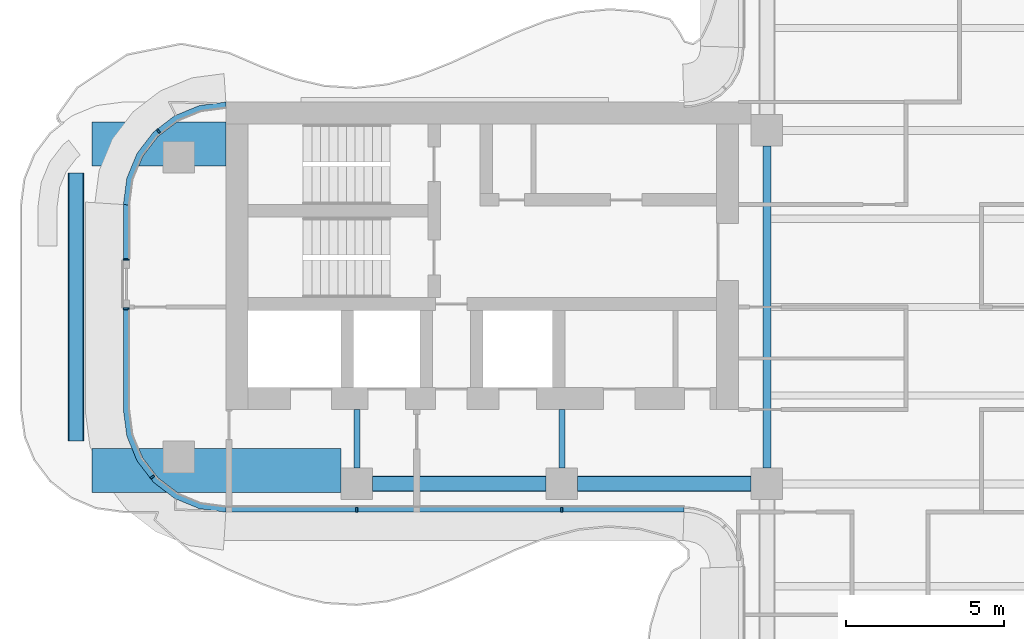
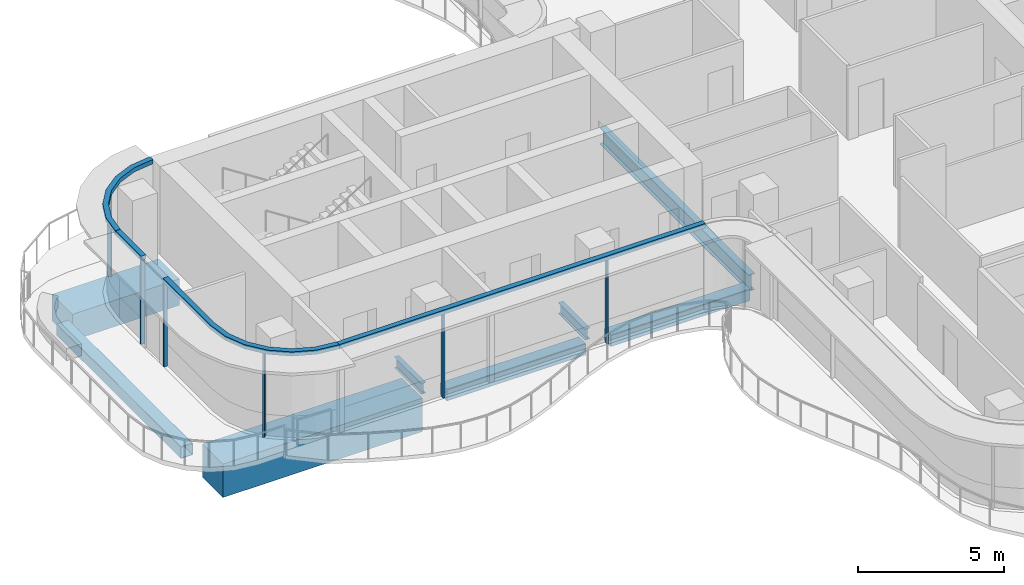
# One storey, part 3 of 17: 10 members, 8 beams, 4 elements without a shape of their own.
"""IFC4 building model written with IfcOpenShell, lengths in metres."""

from ifc_helpers import new_model, si_unit, direction, frame, origin, origin_2d, place, context, subcontext, project, spatial, polyline, rectangle, hollow_rectangle, i_section, outline, extrude, source, transform, mapped, material, layer, layer_set, material_profile, profile_set, type_object, element, aggregate, save


model = new_model("IFC4")

# Units and contexts
model_context = context("Model", 3, precision=1e-05, world=origin(), true_north=direction((0.0, 1.0)))
body_context = subcontext(model_context, "Body", "Model", "MODEL_VIEW")
ifc_project = project(units=[si_unit("LENGTHUNIT", "METRE"), si_unit("AREAUNIT", "SQUARE_METRE"), si_unit("VOLUMEUNIT", "CUBIC_METRE"), si_unit("PLANEANGLEUNIT", "RADIAN"), si_unit("MASSUNIT", "GRAM", prefix="KILO")], contexts=[model_context])

# Site, building, storey
site_placement = place(None, origin())
site = spatial("IfcSite", under=ifc_project, at=site_placement, CompositionType="ELEMENT")
building_placement = place(site_placement, origin())
building = spatial("IfcBuilding", under=site, at=building_placement, Name="Trellis Farm Tower", CompositionType="ELEMENT")
storey_placement = place(building_placement, frame((0.0, 0.0, 279.39990234375)))
storey = spatial("IfcBuildingStorey", under=building, at=storey_placement, Name="L62", CompositionType="ELEMENT", Elevation=279.39990234375)

# Curtain wall, member
ifc_material_1 = material(Name="Aluminium and glass curtain wall", Category="aluminium")
ifc_layer_1 = layer(ifc_material_1, 0.18994140625)
ifc_layer_set_1 = layer_set([ifc_layer_1], Name="RIBBON CURTAIN WALL CW1")
curtain_wall_type = type_object("IfcCurtainWallType", Name="RIBBON CURTAIN WALL CW1", PredefinedType="NOTDEFINED", material=ifc_layer_set_1)
placement_1 = place(storey_placement, origin())
curtain_wall_1 = element("IfcCurtainWall", 1, at=placement_1, inside=storey, type_object=curtain_wall_type, Name="CW1 013", PredefinedType="NOTDEFINED")
ifc_material_2 = material(Name="Aluminium extrusion 6063-T6", Category="aluminium")
ifc_layer_2 = layer(ifc_material_2, 0.199951171875)
ifc_layer_set_2 = layer_set([ifc_layer_2], Name="Aluminium extrusion 6063-T6")
member_type_1 = type_object("IfcMemberType", Name="CW1 TRANSOM 200x180", PredefinedType="USERDEFINED", material=ifc_layer_set_2)
placement_2 = place(storey_placement, frame((0.0, 0.0, 3.52001953125)))
member_1 = element("IfcMember", 2, at=placement_2, type_object=member_type_1, Name="TR1 013", ObjectType="TRANSOM", PredefinedType="USERDEFINED", context=body_context, shape_type="SweptSolid", body=[
    extrude(outline(polyline([(-26.0, 3.25), (-26.0, 1.47998046875), (-25.800048828125, 1.47998046875), (-25.800048828125, 3.23681640625), (-26.0, 3.25)])), origin(), (0.0, 0.0, 1.0), 0.18017578125),
])

curtain_wall_2 = element("IfcCurtainWall", 3, at=placement_1, inside=storey, type_object=curtain_wall_type, Name="CW1 014", PredefinedType="NOTDEFINED")
member_2 = element("IfcMember", 4, at=placement_2, type_object=member_type_1, Name="TR1 014", ObjectType="TRANSOM", PredefinedType="USERDEFINED", context=body_context, shape_type="SweptSolid", body=[
    extrude(outline(polyline([(-26.0, -0.02001953125), (-26.0, -3.25), (-25.88916015625, -4.091064453125), (-25.564697265625, -4.875), (-25.048095703125, -5.548095703125), (-24.375, -6.064697265625), (-23.591064453125, -6.38916015625), (-22.75, -6.5), (-22.73681640625, -6.300048828125), (-23.5390625, -6.1943359375), (-24.274169921875, -5.889892578125), (-24.905517578125, -5.405517578125), (-25.389892578125, -4.774169921875), (-25.6943359375, -4.0390625), (-25.800048828125, -3.23681640625), (-25.800048828125, -0.02001953125), (-26.0, -0.02001953125)])), origin(), (0.0, 0.0, 1.0), 0.18017578125),
])

# Beams
ifc_material_3 = material(Name="Concrete C80/95", Category="concrete")
ifc_material_profile_1 = material_profile(ifc_material_3, rectangle(XDim=1.39990234375, YDim=1.10009765625, at=origin_2d()), Name="RC transfer beam 1400x1100 C80/95")
ifc_profile_set_1 = profile_set([ifc_material_profile_1], Name="Concrete C80/95")
beam_type_1 = type_object("IfcBeamType", Name="RC transfer beam 1400x1100 C80/95", PredefinedType="BEAM", material=ifc_profile_set_1)
beam_1_placement = place(storey_placement, frame((-27.0, 5.175048828125, -0.75), z_axis=(1.0, 0.0, 0.0), x_axis=(0.0, 1.0, 0.0)))
element("IfcBeam", 5, at=beam_1_placement, inside=storey, type_object=beam_type_1, Name="Transfer girder", PredefinedType="BEAM", context=body_context, shape_type="SweptSolid", body=[
    extrude(rectangle(XDim=1.39990234375, YDim=1.10009765625, at=origin_2d()), origin(), (0.0, 0.0, 1.0), 4.25),
])
ifc_material_4 = material(Name="Steel S355", Category="steel")
ifc_material_profile_2 = material_profile(ifc_material_4, hollow_rectangle(XDim=0.5, YDim=0.5, WallThickness=0.02490234375, InnerFilletRadius=0.02490234375, OuterFilletRadius=0.03759765625, at=origin_2d()), Name="SHS 500x500x25")
ifc_profile_set_2 = profile_set([ifc_material_profile_2], Name="Steel S355")
beam_type_2 = type_object("IfcBeamType", Name="SHS 500x500x25", PredefinedType="BEAM", material=ifc_profile_set_2)
shared_shape_1 = source(origin(), body_context, "Body", "SweptSolid", [
    extrude(hollow_rectangle(XDim=0.5, YDim=0.5, WallThickness=0.02490234375, InnerFilletRadius=0.02490234375, OuterFilletRadius=0.03759765625, at=origin_2d()), origin(), (0.0, 0.0, 1.0), 5.5),
])
for number, where, z_axis, x_axis, name in (
    (6, (-18.10009765625, -5.60009765625, -0.449951171875), (1.0, 0.0, 0.0), (0.0, 1.0, 0.0), "Girder"),
    (7, (-11.60009765625, -5.60009765625, -0.449951171875), (1.0, 0.0, 0.0), (0.0, 1.0, 0.0), "Girder"),
):
    element("IfcBeam", number, at=place(storey_placement, frame(where, z_axis=z_axis, x_axis=x_axis)), inside=storey, type_object=beam_type_2, Name=name, PredefinedType="BEAM", context=body_context, shape_type="MappedRepresentation", body=[
        mapped(shared_shape_1, transform((0.0, 0.0, 0.0))),
    ])
ifc_material_profile_3 = material_profile(ifc_material_4, i_section(OverallWidth=0.253662109375, OverallDepth=0.68359375, WebThickness=0.012451171875, FlangeThickness=0.021728515625, FilletRadius=0.01513671875, at=origin_2d()), Name="UB 686x254x140")
ifc_profile_set_3 = profile_set([ifc_material_profile_3], Name="Steel S355")
beam_type_3 = type_object("IfcBeamType", Name="UB 686x254x140", PredefinedType="BEAM", material=ifc_profile_set_3)
shared_shape_2 = source(origin(), body_context, "Body", "SweptSolid", [
    extrude(i_section(OverallWidth=0.253662109375, OverallDepth=0.68359375, WebThickness=0.012451171875, FlangeThickness=0.021728515625, FilletRadius=0.01513671875, at=origin_2d()), origin(), (0.0, 0.0, 1.0), 10.2001953125),
])
beam_2_placement = place(storey_placement, frame((-5.60009765625, -5.10009765625, -0.541748046875), z_axis=(0.0, 1.0, 0.0), x_axis=(-1.0, 0.0, 0.0)))
element("IfcBeam", 8, at=beam_2_placement, inside=storey, type_object=beam_type_3, Name="Girder", PredefinedType="BEAM", context=body_context, shape_type="MappedRepresentation", body=[
    mapped(shared_shape_2, transform((0.0, 0.0, 0.0))),
])
shared_shape_3 = source(origin(), body_context, "Body", "SweptSolid", [
    extrude(hollow_rectangle(XDim=0.5, YDim=0.5, WallThickness=0.02490234375, InnerFilletRadius=0.02490234375, OuterFilletRadius=0.03759765625, at=origin_2d()), origin(), (0.0, 0.0, 1.0), 8.5),
])
beam_3_placement = place(storey_placement, frame((-27.5, -4.25, -0.449951171875), z_axis=(0.0, 1.0, 0.0), x_axis=(-1.0, 0.0, 0.0)))
element("IfcBeam", 9, at=beam_3_placement, inside=storey, type_object=beam_type_2, Name="Girder", PredefinedType="BEAM", context=body_context, shape_type="MappedRepresentation", body=[
    mapped(shared_shape_3, transform((0.0, 0.0, 0.0))),
])
ifc_material_profile_4 = material_profile(ifc_material_4, i_section(OverallWidth=0.1904296875, OverallDepth=0.45703125, WebThickness=0.009033203125, FlangeThickness=0.014404296875, FilletRadius=0.01025390625, at=origin_2d()), Name="UB 457x191x74")
ifc_profile_set_4 = profile_set([ifc_material_profile_4], Name="Steel S355")
beam_type_4 = type_object("IfcBeamType", Name="UB 457x191x74", PredefinedType="BEAM", material=ifc_profile_set_4)
shared_shape_4 = source(origin(), body_context, "Body", "SweptSolid", [
    extrude(i_section(OverallWidth=0.1904296875, OverallDepth=0.45703125, WebThickness=0.009033203125, FlangeThickness=0.014404296875, FilletRadius=0.01025390625, at=origin_2d()), origin(), (0.0, 0.0, 1.0), 1.85009765625),
])
for number, where, z_axis, x_axis, name in (
    (10, (-18.60009765625, -5.10009765625, -0.428466796875), (0.0, 1.0, 0.0), (-1.0, 0.0, 0.0), "Girder"),
    (11, (-12.10009765625, -5.10009765625, -0.428466796875), (0.0, 1.0, 0.0), (-1.0, 0.0, 0.0), "Girder"),
):
    element("IfcBeam", number, at=place(storey_placement, frame(where, z_axis=z_axis, x_axis=x_axis)), inside=storey, type_object=beam_type_4, Name=name, PredefinedType="BEAM", context=body_context, shape_type="MappedRepresentation", body=[
        mapped(shared_shape_4, transform((0.0, 0.0, 0.0))),
    ])
ifc_material_profile_5 = material_profile(ifc_material_3, rectangle(XDim=1.39990234375, YDim=1.39990234375, at=origin_2d()), Name="RC transfer beam 1400x1400 C80/95")
ifc_profile_set_5 = profile_set([ifc_material_profile_5], Name="Concrete C80/95")
beam_type_5 = type_object("IfcBeamType", Name="RC transfer beam 1400x1400 C80/95", PredefinedType="BEAM", material=ifc_profile_set_5)
shared_shape_5 = source(origin(), body_context, "Body", "SweptSolid", [
    extrude(rectangle(XDim=1.39990234375, YDim=1.39990234375, at=origin_2d()), origin(), (0.0, 0.0, 1.0), 7.89990234375),
])
beam_4_placement = place(storey_placement, frame((-27.0, -5.175048828125, -0.89990234375), z_axis=(1.0, 0.0, 0.0), x_axis=(0.0, 1.0, 0.0)))
element("IfcBeam", 12, at=beam_4_placement, inside=storey, type_object=beam_type_5, Name="Transfer girder", PredefinedType="BEAM", context=body_context, shape_type="MappedRepresentation", body=[
    mapped(shared_shape_5, transform((0.0, 0.0, 0.0))),
])

# Curtain wall, members
curtain_wall_3 = element("IfcCurtainWall", 13, at=placement_1, inside=storey, type_object=curtain_wall_type, Name="CW1 001", PredefinedType="NOTDEFINED")
ifc_material_profile_6 = material_profile(ifc_material_2, rectangle(XDim=0.06005859375, YDim=0.14990234375, at=origin_2d()), Name="MULLION 60x150")
ifc_profile_set_6 = profile_set([ifc_material_profile_6], Name="Aluminium extrusion 6063-T6")
member_type_2 = type_object("IfcMemberType", Name="CW1 MULLION 60x150", PredefinedType="MULLION", material=ifc_profile_set_6)
shared_shape_6 = source(origin(), body_context, "Body", "SweptSolid", [
    extrude(rectangle(XDim=0.06005859375, YDim=0.14990234375, at=origin_2d()), origin(), (0.0, 0.0, 1.0), 3.52001953125),
])
member_3_placement = place(storey_placement, frame((-18.60009765625, -6.425048828125, 0.0), z_axis=(0.0, 0.0, 1.0), x_axis=(1.0, 0.0, 0.0)))
member_3 = element("IfcMember", 14, at=member_3_placement, type_object=member_type_2, Name="MU1 001-01", PredefinedType="MULLION", context=body_context, shape_type="MappedRepresentation", body=[
    mapped(shared_shape_6, transform((0.0, 0.0, 0.0))),
])
member_4_placement = place(storey_placement, frame((-12.10009765625, -6.425048828125, 0.0), z_axis=(0.0, 0.0, 1.0), x_axis=(1.0, 0.0, 0.0)))
member_4 = element("IfcMember", 15, at=member_4_placement, type_object=member_type_2, Name="MU1 001-02", PredefinedType="MULLION", context=body_context, shape_type="MappedRepresentation", body=[
    mapped(shared_shape_6, transform((0.0, 0.0, 0.0))),
])

# Curtain wall, member
curtain_wall_4 = element("IfcCurtainWall", 16, at=placement_1, inside=storey, type_object=curtain_wall_type, Name="CW1 012", PredefinedType="NOTDEFINED")
member_5_placement = place(storey_placement, frame((-24.885498046875, 5.578369140625, 0.0), z_axis=(0.0, 0.0, 1.0), x_axis=(-0.793353340291, -0.608761429009, 0.0)))
member_5 = element("IfcMember", 17, at=member_5_placement, type_object=member_type_2, Name="MU1 012-01", PredefinedType="MULLION", context=body_context, shape_type="MappedRepresentation", body=[
    mapped(shared_shape_6, transform((0.0, 0.0, 0.0))),
])

# Member
member_6_placement = place(storey_placement, frame((-25.925048828125, 1.510009765625, 0.0), z_axis=(0.0, 0.0, 1.0), x_axis=(0.0, -1.0, 0.0)))
member_6 = element("IfcMember", 18, at=member_6_placement, type_object=member_type_2, Name="MU1 013-01", PredefinedType="MULLION", context=body_context, shape_type="MappedRepresentation", body=[
    mapped(shared_shape_6, transform((0.0, 0.0, 0.0))),
])

aggregate(curtain_wall_1, [member_6, member_1])

member_7_placement = place(storey_placement, frame((-25.925048828125, -0.050048828125, 0.0), z_axis=(0.0, 0.0, 1.0), x_axis=(0.0, -1.0, 0.0)))
member_7 = element("IfcMember", 19, at=member_7_placement, type_object=member_type_2, Name="MU1 014-01", PredefinedType="MULLION", context=body_context, shape_type="MappedRepresentation", body=[
    mapped(shared_shape_6, transform((0.0, 0.0, 0.0))),
])

member_8_placement = place(storey_placement, frame((-25.078369140625, -5.385498046875, 0.0), z_axis=(0.0, 0.0, 1.0), x_axis=(0.608761429009, -0.793353340291, 0.0)))
member_8 = element("IfcMember", 20, at=member_8_placement, type_object=member_type_2, Name="MU1 014-02", PredefinedType="MULLION", context=body_context, shape_type="MappedRepresentation", body=[
    mapped(shared_shape_6, transform((0.0, 0.0, 0.0))),
])

aggregate(curtain_wall_2, [member_7, member_8, member_2])

shared_shape_7 = source(origin(), body_context, "Body", "SweptSolid", [
    extrude(outline(polyline([(-22.75, -6.5), (-8.2314453125, -6.5), (-8.224853515625, -6.300048828125), (-22.73681640625, -6.300048828125), (-22.75, -6.5)])), origin(), (0.0, 0.0, 1.0), 0.18017578125),
])
member_9 = element("IfcMember", 21, at=placement_2, type_object=member_type_1, Name="TR1 001", ObjectType="TRANSOM", PredefinedType="USERDEFINED", context=body_context, shape_type="MappedRepresentation", body=[
    mapped(shared_shape_7, transform((0.0, 0.0, 0.0))),
])

aggregate(curtain_wall_3, [member_3, member_4, member_9])

shared_shape_8 = source(origin(), body_context, "Body", "SweptSolid", [
    extrude(outline(polyline([(-22.75, 6.5), (-23.591064453125, 6.38916015625), (-24.375, 6.064697265625), (-25.048095703125, 5.548095703125), (-25.564697265625, 4.875), (-25.88916015625, 4.091064453125), (-26.0, 3.25), (-25.800048828125, 3.23681640625), (-25.6943359375, 4.0390625), (-25.389892578125, 4.774169921875), (-24.905517578125, 5.405517578125), (-24.274169921875, 5.889892578125), (-23.5390625, 6.1943359375), (-22.73681640625, 6.300048828125), (-22.75, 6.5)])), origin(), (0.0, 0.0, 1.0), 0.18017578125),
])
member_10 = element("IfcMember", 22, at=placement_2, type_object=member_type_1, Name="TR1 012", ObjectType="TRANSOM", PredefinedType="USERDEFINED", context=body_context, shape_type="MappedRepresentation", body=[
    mapped(shared_shape_8, transform((0.0, 0.0, 0.0))),
])

aggregate(curtain_wall_4, [member_5, member_10])

save(model, "model.ifc")
